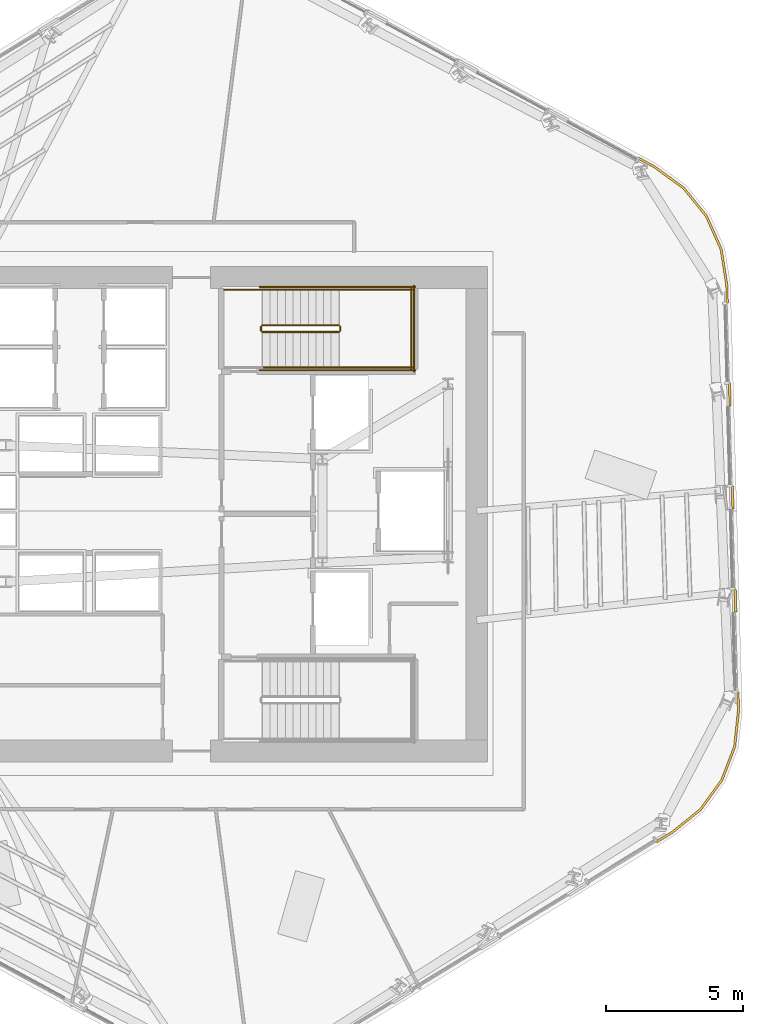
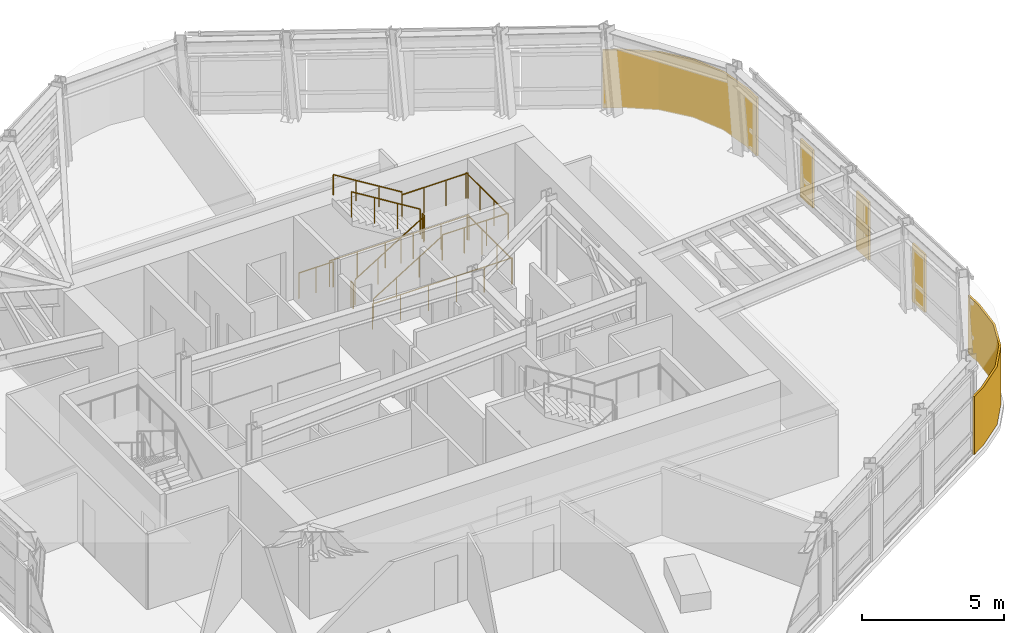
# One storey, part 13 of 15: 13 railings, 5 coverings.
"""IFC4 building model written with IfcOpenShell, lengths in metres."""

from ifc_helpers import new_model, si_unit, direction, frame, origin, origin_2d, place, context, subcontext, project, spatial, polyline, circle, outline, extrude, material, layer, layer_set, type_object, element, save


model = new_model("IFC4")

# Units and contexts
model_context = context("Model", 3, precision=1e-05, world=origin(), true_north=direction((0.0, 1.0)))
body_context = subcontext(model_context, "Body", "Model", "MODEL_VIEW")
ifc_project = project(units=[si_unit("LENGTHUNIT", "METRE"), si_unit("AREAUNIT", "SQUARE_METRE"), si_unit("VOLUMEUNIT", "CUBIC_METRE"), si_unit("PLANEANGLEUNIT", "RADIAN"), si_unit("MASSUNIT", "GRAM", prefix="KILO")], contexts=[model_context])

# Site, building, storey
site_placement = place(None, origin())
site = spatial("IfcSite", under=ifc_project, at=site_placement, CompositionType="ELEMENT")
building_placement = place(site_placement, origin())
building = spatial("IfcBuilding", under=site, at=building_placement, Name="Valkerne Bourse Tower", CompositionType="ELEMENT")
storey_placement = place(building_placement, frame((0.0, 0.0, 159.0)))
storey = spatial("IfcBuildingStorey", under=building, at=storey_placement, Name="L40", CompositionType="ELEMENT", Elevation=159.0)

# Coverings
ifc_material_1 = material(Name="Bronze Anodised Aluminium AA 6063-T6", Category="aluminium")
ifc_layer = layer(ifc_material_1, 0.06005859375)
ifc_layer_set = layer_set([ifc_layer], Name="Bronze Anodised Aluminium AA 6063-T6")
covering_type = type_object("IfcCoveringType", Name="COV-CRN-ALUM", PredefinedType="CLADDING", material=ifc_layer_set)
covering_1_placement = place(storey_placement, origin())
element("IfcCovering", 1, at=covering_1_placement, inside=storey, type_object=covering_type, Name="L40 Wind-Shaped Corner Aluminium Cladding 01", PredefinedType="CLADDING", context=body_context, shape_type="SweptSolid", body=[
    extrude(outline(polyline([(65.484375, 18.35693359375), (65.00732421875, 17.1142578125), (64.224853515625, 16.037353515625), (63.185302734375, 15.195556640625), (62.604248046875, 14.84033203125), (62.5625, 14.90869140625), (63.13916015625, 15.260986328125), (64.16650390625, 16.093017578125), (64.936279296875, 17.152587890625), (65.406005859375, 18.375732421875), (65.5439453125, 19.6904296875), (65.525390625, 20.365966796875), (65.60546875, 20.367919921875), (65.624267578125, 19.687255859375), (65.484375, 18.35693359375)])), origin(), (0.0, 0.0, 1.0), 2.5),
])
covering_2_placement = place(storey_placement, origin())
element("IfcCovering", 2, at=covering_2_placement, inside=storey, type_object=covering_type, Name="L40 Wind-Shaped Corner Aluminium Cladding 21", PredefinedType="CLADDING", context=body_context, shape_type="SweptSolid", body=[
    extrude(outline(polyline([(62.525146484375, 39.6337890625), (63.607421875, 38.847412109375), (64.445068359375, 37.81298828125), (64.986572265625, 36.596923828125), (65.19580078125, 35.275634765625), (65.214111328125, 34.6064453125), (65.13427734375, 34.6044921875), (65.115966796875, 35.268310546875), (64.9091796875, 36.573974609375), (64.376220703125, 37.770751953125), (63.5517578125, 38.788818359375), (62.482177734375, 39.56591796875), (61.899169921875, 39.883544921875), (61.9375, 39.953857421875), (62.525146484375, 39.6337890625)])), origin(), (0.0, 0.0, 1.0), 2.5),
])
covering_3_placement = place(storey_placement, origin())
element("IfcCovering", 3, at=covering_3_placement, inside=storey, type_object=covering_type, Name="L40 Wind-Shaped Corner Aluminium Cladding 22", PredefinedType="CLADDING", context=body_context, shape_type="SweptSolid", body=[
    extrude(outline(polyline([(65.31787109375, 30.8369140625), (65.23779296875, 30.8349609375), (65.214599609375, 31.674560546875), (65.294677734375, 31.6767578125), (65.31787109375, 30.8369140625)])), origin(), (0.0, 0.0, 1.0), 2.5),
])
covering_4_placement = place(storey_placement, origin())
element("IfcCovering", 4, at=covering_4_placement, inside=storey, type_object=covering_type, Name="L40 Wind-Shaped Corner Aluminium Cladding 23", PredefinedType="CLADDING", context=body_context, shape_type="SweptSolid", body=[
    extrude(outline(polyline([(65.42138671875, 27.0673828125), (65.34130859375, 27.065185546875), (65.318359375, 27.905029296875), (65.398193359375, 27.9072265625), (65.42138671875, 27.0673828125)])), origin(), (0.0, 0.0, 1.0), 2.5),
])
covering_5_placement = place(storey_placement, origin())
element("IfcCovering", 5, at=covering_5_placement, inside=storey, type_object=covering_type, Name="L40 Wind-Shaped Corner Aluminium Cladding 24", PredefinedType="CLADDING", context=body_context, shape_type="SweptSolid", body=[
    extrude(outline(polyline([(65.52490234375, 23.2978515625), (65.445068359375, 23.295654296875), (65.421875, 24.135498046875), (65.501953125, 24.1376953125), (65.52490234375, 23.2978515625)])), origin(), (0.0, 0.0, 1.0), 2.5),
])

# Railings
ifc_material_2 = material(Name="Galvanised Painted Steel", Category="steel")
railing_type_1 = type_object("IfcRailingType", Name="RLG-ST-GUARD-1120", PredefinedType="GUARDRAIL", material=ifc_material_2)
railing_1_placement = place(storey_placement, frame((48.14990234375, 33.550048828125, 0.172607421875)))
element("IfcRailing", 6, at=railing_1_placement, inside=storey, type_object=railing_type_1, Name="L40 ST-2 stair guard 1", PredefinedType="GUARDRAIL", context=body_context, shape_type="SweptSolid", body=[
    extrude(circle(Radius=0.02392578125, at=origin_2d()), frame((0.0, 0.0, 1.09619140625), z_axis=(0.851089632645, 0.0, 0.525020415988), x_axis=(0.0, 1.0, 0.0)), (0.0, 0.0, 1.0), 3.2900390625),
    extrude(circle(Radius=0.02099609375, at=origin_2d()), origin(), (0.0, 0.0, 1.0), 1.072021484375),
    extrude(circle(Radius=0.02099609375, at=origin_2d()), frame((0.933349609375, 0.0, 0.57568359375)), (0.0, 0.0, 1.0), 1.072021484375),
    extrude(circle(Radius=0.02099609375, at=origin_2d()), frame((1.86669921875, 0.0, 1.151611328125)), (0.0, 0.0, 1.0), 1.072021484375),
    extrude(circle(Radius=0.02099609375, at=origin_2d()), frame((2.800048828125, 0.0, 1.727294921875)), (0.0, 0.0, 1.0), 1.072021484375),
])
railing_2_placement = place(storey_placement, frame((51.0, 33.60009765625, 1.89990234375)))
element("IfcRailing", 7, at=railing_2_placement, inside=storey, type_object=railing_type_1, Name="L40 ST-2 stair guard 2", PredefinedType="GUARDRAIL", context=body_context, shape_type="SweptSolid", body=[
    extrude(circle(Radius=0.02392578125, at=origin_2d()), frame((0.0, 0.0, 1.09619140625), z_axis=(0.0, 1.0, 0.0), x_axis=(-1.0, 0.0, 0.0)), (0.0, 0.0, 1.0), 0.14990234375),
    extrude(circle(Radius=0.02099609375, at=origin_2d()), origin(), (0.0, 0.0, 1.0), 1.072021484375),
    extrude(circle(Radius=0.02099609375, at=origin_2d()), frame((0.0, 0.14990234375, 0.0)), (0.0, 0.0, 1.0), 1.072021484375),
])
for number, where, name in (
    (8, (50.949951171875, 32.25, 1.89990234375), "L40 ST-2 stair guard 3"),
    (9, (50.949951171875, 35.10009765625, 1.89990234375), "L40 ST-2 stair guard 4"),
):
    element("IfcRailing", number, at=place(storey_placement, frame(where)), inside=storey, type_object=railing_type_1, Name=name, PredefinedType="GUARDRAIL", context=body_context, shape_type="SweptSolid", body=[
        extrude(circle(Radius=0.02392578125, at=origin_2d()), frame((0.0, 0.0, 1.09619140625), z_axis=(1.0, 0.0, 0.0), x_axis=(0.0, 1.0, 0.0)), (0.0, 0.0, 1.0), 2.699951171875),
        extrude(circle(Radius=0.02099609375, at=origin_2d()), origin(), (0.0, 0.0, 1.0), 1.072021484375),
        extrude(circle(Radius=0.02099609375, at=origin_2d()), frame((0.89990234375, 0.0, 0.0)), (0.0, 0.0, 1.0), 1.072021484375),
        extrude(circle(Radius=0.02099609375, at=origin_2d()), frame((1.800048828125, 0.0, 0.0)), (0.0, 0.0, 1.0), 1.072021484375),
        extrude(circle(Radius=0.02099609375, at=origin_2d()), frame((2.699951171875, 0.0, 0.0)), (0.0, 0.0, 1.0), 1.072021484375),
    ])
railing_3_placement = place(storey_placement, frame((53.60009765625, 32.199951171875, 1.89990234375)))
element("IfcRailing", 10, at=railing_3_placement, inside=storey, type_object=railing_type_1, Name="L40 ST-2 stair guard 5", PredefinedType="GUARDRAIL", context=body_context, shape_type="SweptSolid", body=[
    extrude(circle(Radius=0.02392578125, at=origin_2d()), frame((0.0, 0.0, 1.09619140625), z_axis=(0.0, 1.0, 0.0), x_axis=(-1.0, 0.0, 0.0)), (0.0, 0.0, 1.0), 2.949951171875),
    extrude(circle(Radius=0.02099609375, at=origin_2d()), origin(), (0.0, 0.0, 1.0), 1.072021484375),
    extrude(circle(Radius=0.02099609375, at=origin_2d()), frame((0.0, 0.9833984375, 0.0)), (0.0, 0.0, 1.0), 1.072021484375),
    extrude(circle(Radius=0.02099609375, at=origin_2d()), frame((0.0, 1.966552734375, 0.0)), (0.0, 0.0, 1.0), 1.072021484375),
    extrude(circle(Radius=0.02099609375, at=origin_2d()), frame((0.0, 2.949951171875, 0.0)), (0.0, 0.0, 1.0), 1.072021484375),
])
railing_4_placement = place(storey_placement, frame((50.949951171875, 33.800048828125, 2.07275390625)))
element("IfcRailing", 11, at=railing_4_placement, inside=storey, type_object=railing_type_1, Name="L40 ST-2 stair guard 6", PredefinedType="GUARDRAIL", context=body_context, shape_type="SweptSolid", body=[
    extrude(circle(Radius=0.02392578125, at=origin_2d()), frame((0.0, 0.0, 1.09619140625), z_axis=(-0.851089632645, 0.0, 0.525020415988), x_axis=(0.0, -1.0, 0.0)), (0.0, 0.0, 1.0), 3.2900390625),
    extrude(circle(Radius=0.02099609375, at=origin_2d()), origin(), (0.0, 0.0, 1.0), 1.072021484375),
    extrude(circle(Radius=0.02099609375, at=origin_2d()), frame((-0.933349609375, 0.0, 0.57568359375)), (0.0, 0.0, 1.0), 1.072021484375),
    extrude(circle(Radius=0.02099609375, at=origin_2d()), frame((-1.86669921875, 0.0, 1.151611328125)), (0.0, 0.0, 1.0), 1.072021484375),
    extrude(circle(Radius=0.02099609375, at=origin_2d()), frame((-2.800048828125, 0.0, 1.727294921875)), (0.0, 0.0, 1.0), 1.072021484375),
])
railing_5_placement = place(storey_placement, frame((48.10009765625, 33.60009765625, 0.0)))
element("IfcRailing", 12, at=railing_5_placement, inside=storey, type_object=railing_type_1, Name="L40 ST-2 stair guard 7", PredefinedType="GUARDRAIL", context=body_context, shape_type="SweptSolid", body=[
    extrude(circle(Radius=0.02392578125, at=origin_2d()), frame((0.0, 0.0, 1.09619140625), z_axis=(0.0, 1.0, 0.0), x_axis=(-1.0, 0.0, 0.0)), (0.0, 0.0, 1.0), 0.14990234375),
    extrude(circle(Radius=0.02099609375, at=origin_2d()), origin(), (0.0, 0.0, 1.0), 1.072021484375),
    extrude(circle(Radius=0.02099609375, at=origin_2d()), frame((0.0, 0.14990234375, 0.0)), (0.0, 0.0, 1.0), 1.072021484375),
])
railing_6_placement = place(storey_placement, frame((46.75, 35.10009765625, 0.0)))
element("IfcRailing", 13, at=railing_6_placement, inside=storey, type_object=railing_type_1, Name="L40 ST-2 stair guard 9", PredefinedType="GUARDRAIL", context=body_context, shape_type="SweptSolid", body=[
    extrude(circle(Radius=0.02392578125, at=origin_2d()), frame((0.0, 0.0, 1.09619140625), z_axis=(1.0, 0.0, 0.0), x_axis=(0.0, 1.0, 0.0)), (0.0, 0.0, 1.0), 1.39990234375),
    extrude(circle(Radius=0.02099609375, at=origin_2d()), origin(), (0.0, 0.0, 1.0), 1.072021484375),
    extrude(circle(Radius=0.02099609375, at=origin_2d()), frame((0.699951171875, 0.0, 0.0)), (0.0, 0.0, 1.0), 1.072021484375),
    extrude(circle(Radius=0.02099609375, at=origin_2d()), frame((1.39990234375, 0.0, 0.0)), (0.0, 0.0, 1.0), 1.072021484375),
])
for number, where, name in (
    (14, (48.050048828125, 32.14990234375, 0.0), "L40 ST-2 stair guard 10"),
    (15, (48.050048828125, 35.199951171875, 0.0), "L40 ST-2 stair guard 11"),
):
    element("IfcRailing", number, at=place(storey_placement, frame(where)), inside=storey, type_object=railing_type_1, Name=name, PredefinedType="GUARDRAIL", context=body_context, shape_type="SweptSolid", body=[
        extrude(circle(Radius=0.02392578125, at=origin_2d()), frame((0.0, 0.0, 1.09619140625), z_axis=(1.0, 0.0, 0.0), x_axis=(0.0, 1.0, 0.0)), (0.0, 0.0, 1.0), 5.699951171875),
        extrude(circle(Radius=0.02099609375, at=origin_2d()), origin(), (0.0, 0.0, 1.0), 1.072021484375),
        extrude(circle(Radius=0.02099609375, at=origin_2d()), frame((1.139892578125, 0.0, 0.0)), (0.0, 0.0, 1.0), 1.072021484375),
        extrude(circle(Radius=0.02099609375, at=origin_2d()), frame((2.280029296875, 0.0, 0.0)), (0.0, 0.0, 1.0), 1.072021484375),
        extrude(circle(Radius=0.02099609375, at=origin_2d()), frame((3.419921875, 0.0, 0.0)), (0.0, 0.0, 1.0), 1.072021484375),
        extrude(circle(Radius=0.02099609375, at=origin_2d()), frame((4.56005859375, 0.0, 0.0)), (0.0, 0.0, 1.0), 1.072021484375),
        extrude(circle(Radius=0.02099609375, at=origin_2d()), frame((5.699951171875, 0.0, 0.0)), (0.0, 0.0, 1.0), 1.072021484375),
    ])
railing_7_placement = place(storey_placement, frame((53.699951171875, 32.10009765625, 0.0)))
element("IfcRailing", 16, at=railing_7_placement, inside=storey, type_object=railing_type_1, Name="L40 ST-2 stair guard 12", PredefinedType="GUARDRAIL", context=body_context, shape_type="SweptSolid", body=[
    extrude(circle(Radius=0.02392578125, at=origin_2d()), frame((0.0, 0.0, 1.09619140625), z_axis=(0.0, 1.0, 0.0), x_axis=(-1.0, 0.0, 0.0)), (0.0, 0.0, 1.0), 3.14990234375),
    extrude(circle(Radius=0.02099609375, at=origin_2d()), origin(), (0.0, 0.0, 1.0), 1.072021484375),
    extrude(circle(Radius=0.02099609375, at=origin_2d()), frame((0.0, 1.050048828125, 0.0)), (0.0, 0.0, 1.0), 1.072021484375),
    extrude(circle(Radius=0.02099609375, at=origin_2d()), frame((0.0, 2.099853515625, 0.0)), (0.0, 0.0, 1.0), 1.072021484375),
    extrude(circle(Radius=0.02099609375, at=origin_2d()), frame((0.0, 3.14990234375, 0.0)), (0.0, 0.0, 1.0), 1.072021484375),
])
ifc_material_3 = material(Name="Stainless Steel AISI 316", Category="steel")
railing_type_2 = type_object("IfcRailingType", Name="RLG-ST-HANDRAIL-900", PredefinedType="HANDRAIL", material=ifc_material_3)
railing_8_placement = place(storey_placement, frame((48.14990234375, 32.25, 0.345458984375)))
element("IfcRailing", 17, at=railing_8_placement, inside=storey, type_object=railing_type_2, Name="L40 ST-2 stair handrail 1", PredefinedType="HANDRAIL", context=body_context, shape_type="SweptSolid", body=[
    extrude(circle(Radius=0.02392578125, at=origin_2d()), frame((0.0, 0.0, 0.8759765625), z_axis=(0.851089632645, 0.0, 0.525020415988), x_axis=(0.0, 1.0, 0.0)), (0.0, 0.0, 1.0), 3.2900390625),
    extrude(circle(Radius=0.02099609375, at=origin_2d()), origin(), (0.0, 0.0, 1.0), 0.851806640625),
    extrude(circle(Radius=0.02099609375, at=origin_2d()), frame((0.933349609375, 0.0, 0.57568359375)), (0.0, 0.0, 1.0), 0.851806640625),
    extrude(circle(Radius=0.02099609375, at=origin_2d()), frame((1.86669921875, 0.0, 1.151611328125)), (0.0, 0.0, 1.0), 0.851806640625),
    extrude(circle(Radius=0.02099609375, at=origin_2d()), frame((2.800048828125, 0.0, 1.727294921875)), (0.0, 0.0, 1.0), 0.851806640625),
])
railing_9_placement = place(storey_placement, frame((50.949951171875, 35.10009765625, 2.245361328125)))
element("IfcRailing", 18, at=railing_9_placement, inside=storey, type_object=railing_type_2, Name="L40 ST-2 stair handrail 2", PredefinedType="HANDRAIL", context=body_context, shape_type="SweptSolid", body=[
    extrude(circle(Radius=0.02392578125, at=origin_2d()), frame((0.0, 0.0, 0.8759765625), z_axis=(-0.851089632645, 0.0, 0.525020415988), x_axis=(0.0, -1.0, 0.0)), (0.0, 0.0, 1.0), 3.2900390625),
    extrude(circle(Radius=0.02099609375, at=origin_2d()), origin(), (0.0, 0.0, 1.0), 0.851806640625),
    extrude(circle(Radius=0.02099609375, at=origin_2d()), frame((-0.933349609375, 0.0, 0.57568359375)), (0.0, 0.0, 1.0), 0.851806640625),
    extrude(circle(Radius=0.02099609375, at=origin_2d()), frame((-1.86669921875, 0.0, 1.151611328125)), (0.0, 0.0, 1.0), 0.851806640625),
    extrude(circle(Radius=0.02099609375, at=origin_2d()), frame((-2.800048828125, 0.0, 1.727294921875)), (0.0, 0.0, 1.0), 0.851806640625),
])

save(model, "model.ifc")
